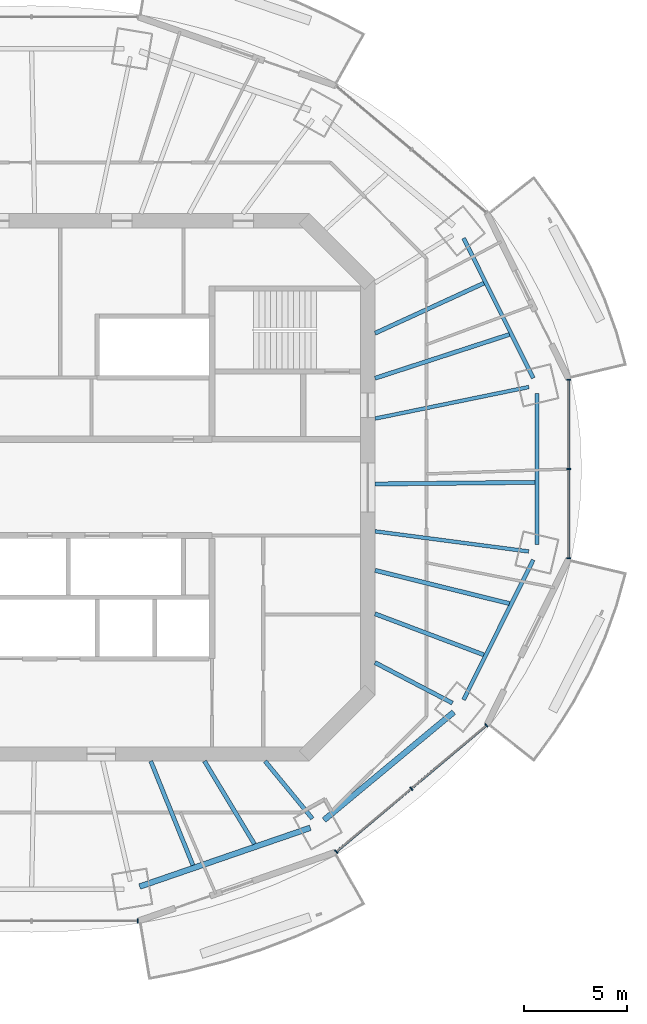
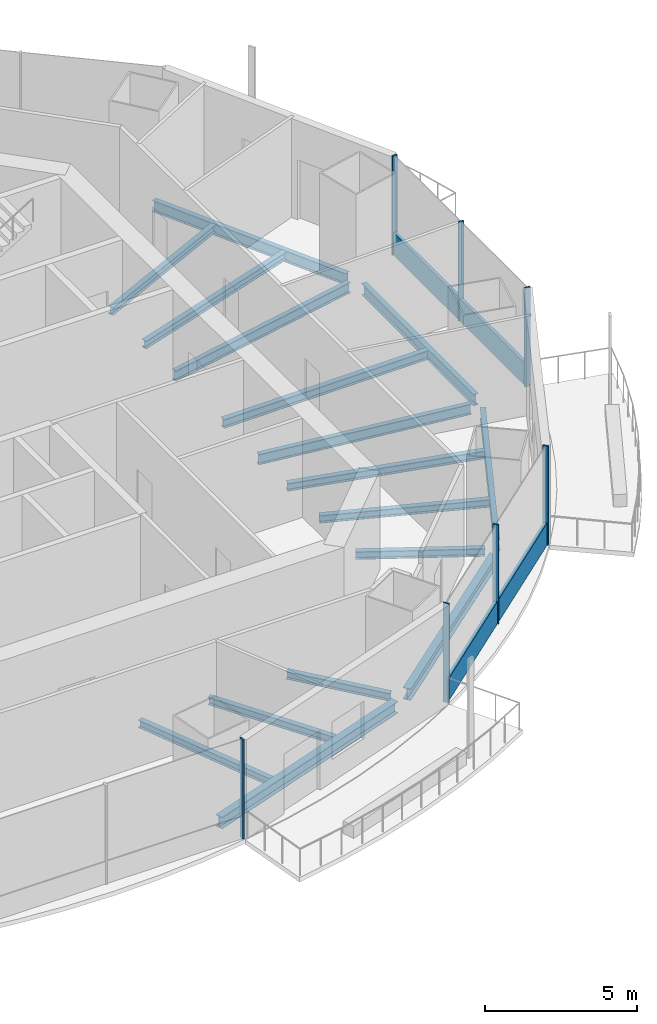
# One storey, part 4 of 16: 16 beams, 9 members, 3 elements without a shape of their own.
"""IFC4 building model written with IfcOpenShell, lengths in metres."""

from ifc_helpers import new_model, si_unit, direction, frame, origin, origin_2d, place, context, subcontext, project, spatial, rectangle, i_section, extrude, material, material_profile, profile_set, type_object, element, aggregate, save


model = new_model("IFC4")

# Units and contexts
model_context = context("Model", 3, precision=1e-05, world=origin(), true_north=direction((0.0, 1.0)))
body_context = subcontext(model_context, "Body", "Model", "MODEL_VIEW")
ifc_project = project(units=[si_unit("LENGTHUNIT", "METRE"), si_unit("AREAUNIT", "SQUARE_METRE"), si_unit("VOLUMEUNIT", "CUBIC_METRE"), si_unit("PLANEANGLEUNIT", "RADIAN"), si_unit("MASSUNIT", "GRAM", prefix="KILO")], contexts=[model_context])

# Site, building, storey
site_placement = place(None, origin())
site = spatial("IfcSite", under=ifc_project, at=site_placement, CompositionType="ELEMENT")
building_placement = place(site_placement, origin())
building = spatial("IfcBuilding", under=site, at=building_placement, Name="Marenthal Gate Tower", CompositionType="ELEMENT")
storey_placement = place(building_placement, frame((0.0, 0.0, 346.75)))
storey = spatial("IfcBuildingStorey", under=building, at=storey_placement, Name="L78", CompositionType="ELEMENT", Elevation=346.75)

# Curtain wall, member
ifc_material_1 = material(Name="Aluminium and glass", Category="aluminium")
curtain_wall_type = type_object("IfcCurtainWallType", Name="Curtain wall typical high", PredefinedType="NOTDEFINED", material=ifc_material_1)
curtain_wall_1_placement = place(storey_placement, origin())
curtain_wall_1 = element("IfcCurtainWall", 1, at=curtain_wall_1_placement, inside=storey, type_object=curtain_wall_type, Name="Curtain wall L78 bay 12", PredefinedType="NOTDEFINED")
ifc_material_2 = material(Name="Aluminium", Category="aluminium")
ifc_material_profile_1 = material_profile(ifc_material_2, rectangle(XDim=0.199951171875, YDim=0.06005859375, at=origin_2d()), Name="60x200 aluminium mullion")
ifc_profile_set_1 = profile_set([ifc_material_profile_1], Name="Aluminium")
member_type_1 = type_object("IfcMemberType", Name="Mullion 60x200 typical high", PredefinedType="MULLION", material=ifc_profile_set_1)
member_1_placement = place(storey_placement, frame((4.7802734375, -21.14404296875, 0.0), z_axis=(0.0, 0.0, 1.0), x_axis=(0.0, 1.0, 0.0)))
member_1 = element("IfcMember", 2, at=member_1_placement, type_object=member_type_1, Name="Mullion L78 bay 12.3", PredefinedType="MULLION", context=body_context, shape_type="SweptSolid", body=[
    extrude(rectangle(XDim=0.199951171875, YDim=0.06005859375, at=origin_2d()), origin(), (0.0, 0.0, 1.0), 3.969970703125),
])
aggregate(curtain_wall_1, [member_1])

# Curtain wall, members
curtain_wall_2_placement = place(storey_placement, origin())
curtain_wall_2 = element("IfcCurtainWall", 3, at=curtain_wall_2_placement, inside=storey, type_object=curtain_wall_type, Name="Curtain wall L78 bay 14", PredefinedType="NOTDEFINED")
member_2_placement = place(storey_placement, frame((14.46044921875, -17.768798828125, 0.0), z_axis=(0.0, 0.0, 1.0), x_axis=(-0.643895579249, 0.765113379195, 0.0)))
member_2 = element("IfcMember", 4, at=member_2_placement, type_object=member_type_1, Name="Mullion L78 bay 14.1", PredefinedType="MULLION", context=body_context, shape_type="SweptSolid", body=[
    extrude(rectangle(XDim=0.199951171875, YDim=0.06005859375, at=origin_2d()), origin(), (0.0, 0.0, 1.0), 3.969970703125),
])
member_3_placement = place(storey_placement, frame((18.121826171875, -14.6875, 0.0), z_axis=(0.0, 0.0, 1.0), x_axis=(-0.643895579249, 0.765113379195, 0.0)))
member_3 = element("IfcMember", 5, at=member_3_placement, type_object=member_type_1, Name="Mullion L78 bay 14.2", PredefinedType="MULLION", context=body_context, shape_type="SweptSolid", body=[
    extrude(rectangle(XDim=0.199951171875, YDim=0.06005859375, at=origin_2d()), origin(), (0.0, 0.0, 1.0), 3.969970703125),
])
member_4_placement = place(storey_placement, frame((21.783203125, -11.606201171875, 0.0), z_axis=(0.0, 0.0, 1.0), x_axis=(-0.643895579249, 0.765113379195, 0.0)))
member_4 = element("IfcMember", 6, at=member_4_placement, type_object=member_type_1, Name="Mullion L78 bay 14.3", PredefinedType="MULLION", context=body_context, shape_type="SweptSolid", body=[
    extrude(rectangle(XDim=0.199951171875, YDim=0.06005859375, at=origin_2d()), origin(), (0.0, 0.0, 1.0), 3.969970703125),
])

curtain_wall_3_placement = place(storey_placement, origin())
curtain_wall_3 = element("IfcCurtainWall", 7, at=curtain_wall_3_placement, inside=storey, type_object=curtain_wall_type, Name="Curtain wall L78 bay 16", PredefinedType="NOTDEFINED")
member_5_placement = place(storey_placement, frame((25.793701171875, -3.454833984375, 0.0), z_axis=(0.0, 0.0, 1.0), x_axis=(-1.0, 0.0, 0.0)))
member_5 = element("IfcMember", 8, at=member_5_placement, type_object=member_type_1, Name="Mullion L78 bay 16.1", PredefinedType="MULLION", context=body_context, shape_type="SweptSolid", body=[
    extrude(rectangle(XDim=0.199951171875, YDim=0.06005859375, at=origin_2d()), origin(), (0.0, 0.0, 1.0), 3.969970703125),
])
member_6_placement = place(storey_placement, frame((25.793701171875, 0.89990234375, 0.0), z_axis=(0.0, 0.0, 1.0), x_axis=(-1.0, 0.0, 0.0)))
member_6 = element("IfcMember", 9, at=member_6_placement, type_object=member_type_1, Name="Mullion L78 bay 16.2", PredefinedType="MULLION", context=body_context, shape_type="SweptSolid", body=[
    extrude(rectangle(XDim=0.199951171875, YDim=0.06005859375, at=origin_2d()), origin(), (0.0, 0.0, 1.0), 3.969970703125),
])
member_7_placement = place(storey_placement, frame((25.793701171875, 5.2548828125, 0.0), z_axis=(0.0, 0.0, 1.0), x_axis=(-1.0, 0.0, 0.0)))
member_7 = element("IfcMember", 10, at=member_7_placement, type_object=member_type_1, Name="Mullion L78 bay 16.3", PredefinedType="MULLION", context=body_context, shape_type="SweptSolid", body=[
    extrude(rectangle(XDim=0.199951171875, YDim=0.06005859375, at=origin_2d()), origin(), (0.0, 0.0, 1.0), 3.969970703125),
])

# Member
ifc_material_3 = material(Name="Aluminium", Category="aluminium")
ifc_material_profile_2 = material_profile(ifc_material_3, rectangle(XDim=0.1201171875, YDim=0.89990234375, at=origin_2d()), Name="120x900 aluminium transom")
ifc_profile_set_2 = profile_set([ifc_material_profile_2], Name="Aluminium")
member_type_2 = type_object("IfcMemberType", Name="Transom 120x900 typical high", PredefinedType="USERDEFINED", material=ifc_profile_set_2)
member_8_placement = place(storey_placement, frame((14.4833984375, -17.74951171875, 0.449951171875), z_axis=(0.765123507082, 0.643883544526, 0.0), x_axis=(-0.643883544526, 0.765123507082, 0.0)))
member_8 = element("IfcMember", 11, at=member_8_placement, type_object=member_type_2, Name="Transom L78 bay 14", ObjectType="TRANSOM", PredefinedType="USERDEFINED", context=body_context, shape_type="SweptSolid", body=[
    extrude(rectangle(XDim=0.1201171875, YDim=0.89990234375, at=origin_2d()), origin(), (0.0, 0.0, 1.0), 9.5107421875),
])

aggregate(curtain_wall_2, [member_2, member_3, member_4, member_8])

member_9_placement = place(storey_placement, frame((25.793701171875, -3.4248046875, 0.449951171875), z_axis=(0.0, 1.0, 0.0), x_axis=(-1.0, 0.0, 0.0)))
member_9 = element("IfcMember", 12, at=member_9_placement, type_object=member_type_2, Name="Transom L78 bay 16", ObjectType="TRANSOM", PredefinedType="USERDEFINED", context=body_context, shape_type="SweptSolid", body=[
    extrude(rectangle(XDim=0.1201171875, YDim=0.89990234375, at=origin_2d()), origin(), (0.0, 0.0, 1.0), 8.649658203125),
])

aggregate(curtain_wall_3, [member_5, member_6, member_7, member_9])

# Beams
ifc_material_4 = material(Name="Steel S355", Category="steel")
ifc_material_profile_3 = material_profile(ifc_material_4, i_section(OverallWidth=0.202880859375, OverallDepth=0.302001953125, WebThickness=0.007568359375, FlangeThickness=0.01318359375, FilletRadius=0.0126953125, at=origin_2d()), Name="W310X60")
ifc_profile_set_3 = profile_set([ifc_material_profile_3], Name="Steel S355")
beam_type_1 = type_object("IfcBeamType", Name="W310X60 beam", PredefinedType="BEAM", material=ifc_profile_set_3)
beam_1_placement = place(storey_placement, frame((21.656005859375, 9.95849609375, -0.3310546875), z_axis=(-0.908525049261, -0.417830390069, 0.0), x_axis=(0.417830390069, -0.908525049261, 0.0)))
element("IfcBeam", 13, at=beam_1_placement, inside=storey, type_object=beam_type_1, Name="BM-L78-18", PredefinedType="BEAM", context=body_context, shape_type="SweptSolid", body=[
    extrude(i_section(OverallWidth=0.202880859375, OverallDepth=0.302001953125, WebThickness=0.007568359375, FlangeThickness=0.01318359375, FilletRadius=0.0126953125, at=origin_2d()), origin(), (0.0, 0.0, 1.0), 5.840087890625),
])
beam_2_placement = place(storey_placement, frame((7.46875, -18.425048828125, -0.3310546875), z_axis=(-0.37566060871, 0.926757307532, 0.0), x_axis=(-0.926757307532, -0.37566060871, 0.0)))
element("IfcBeam", 14, at=beam_2_placement, inside=storey, type_object=beam_type_1, Name="BM-L78-35", PredefinedType="BEAM", context=body_context, shape_type="SweptSolid", body=[
    extrude(i_section(OverallWidth=0.202880859375, OverallDepth=0.302001953125, WebThickness=0.007568359375, FlangeThickness=0.01318359375, FilletRadius=0.0126953125, at=origin_2d()), origin(), (0.0, 0.0, 1.0), 5.47607421875),
])
beam_3_placement = place(storey_placement, frame((10.467041015625, -17.39208984375, -0.3310546875), z_axis=(-0.515690075221, 0.856775201741, 0.0), x_axis=(-0.856775201741, -0.515690075221, 0.0)))
element("IfcBeam", 15, at=beam_3_placement, inside=storey, type_object=beam_type_1, Name="BM-L78-36", PredefinedType="BEAM", context=body_context, shape_type="SweptSolid", body=[
    extrude(i_section(OverallWidth=0.202880859375, OverallDepth=0.302001953125, WebThickness=0.007568359375, FlangeThickness=0.01318359375, FilletRadius=0.0126953125, at=origin_2d()), origin(), (0.0, 0.0, 1.0), 4.7177734375),
])
beam_4_placement = place(storey_placement, frame((21.653076171875, -8.16455078125, -0.3310546875), z_axis=(-0.935681433013, 0.352845937931, 0.0), x_axis=(-0.352845937931, -0.935681433013, 0.0)))
element("IfcBeam", 16, at=beam_4_placement, inside=storey, type_object=beam_type_1, Name="BM-L78-37", PredefinedType="BEAM", context=body_context, shape_type="SweptSolid", body=[
    extrude(i_section(OverallWidth=0.202880859375, OverallDepth=0.302001953125, WebThickness=0.007568359375, FlangeThickness=0.01318359375, FilletRadius=0.0126953125, at=origin_2d()), origin(), (0.0, 0.0, 1.0), 5.66748046875),
])
ifc_material_5 = material(Name="Steel S355", Category="steel")
ifc_material_profile_4 = material_profile(ifc_material_5, i_section(OverallWidth=0.205078125, OverallDepth=0.31005859375, WebThickness=0.009521484375, FlangeThickness=0.016357421875, FilletRadius=0.0126953125, at=origin_2d()), Name="W310X74")
ifc_profile_set_4 = profile_set([ifc_material_profile_4], Name="Steel S355")
beam_type_2 = type_object("IfcBeamType", Name="W310X74 beam", PredefinedType="BEAM", material=ifc_profile_set_4)
beam_5_placement = place(storey_placement, frame((13.2958984375, -16.154052734375, -0.3349609375), z_axis=(-0.635457429148, 0.772135904968, 0.0), x_axis=(-0.772135904968, -0.635457429148, 0.0)))
element("IfcBeam", 17, at=beam_5_placement, inside=storey, type_object=beam_type_2, Name="BM-L78-14", PredefinedType="BEAM", context=body_context, shape_type="SweptSolid", body=[
    extrude(i_section(OverallWidth=0.205078125, OverallDepth=0.31005859375, WebThickness=0.009521484375, FlangeThickness=0.016357421875, FilletRadius=0.0126953125, at=origin_2d()), origin(), (0.0, 0.0, 1.0), 3.63134765625),
])
beam_6_placement = place(storey_placement, frame((20.122314453125, -10.515869140625, -0.3349609375), z_axis=(-0.886264510552, 0.463179465582, 0.0), x_axis=(-0.463179465582, -0.886264510552, 0.0)))
element("IfcBeam", 18, at=beam_6_placement, inside=storey, type_object=beam_type_2, Name="BM-L78-15", PredefinedType="BEAM", context=body_context, shape_type="SweptSolid", body=[
    extrude(i_section(OverallWidth=0.205078125, OverallDepth=0.31005859375, WebThickness=0.009521484375, FlangeThickness=0.016357421875, FilletRadius=0.0126953125, at=origin_2d()), origin(), (0.0, 0.0, 1.0), 4.25634765625),
])
beam_7_placement = place(storey_placement, frame((22.90185546875, 7.45751953125, -0.3349609375), z_axis=(-0.950864154152, -0.309608398382, 0.0), x_axis=(0.309608398382, -0.950864154152, 0.0)))
element("IfcBeam", 19, at=beam_7_placement, inside=storey, type_object=beam_type_2, Name="BM-L78-17", PredefinedType="BEAM", context=body_context, shape_type="SweptSolid", body=[
    extrude(i_section(OverallWidth=0.205078125, OverallDepth=0.31005859375, WebThickness=0.009521484375, FlangeThickness=0.016357421875, FilletRadius=0.0126953125, at=origin_2d()), origin(), (0.0, 0.0, 1.0), 6.890380859375),
])
beam_8_placement = place(storey_placement, frame((22.898681640625, -5.6640625, -0.3349609375), z_axis=(-0.970741975018, 0.240125004818, 0.0), x_axis=(-0.240125004818, -0.970741975018, 0.0)))
element("IfcBeam", 20, at=beam_8_placement, inside=storey, type_object=beam_type_2, Name="BM-L78-38", PredefinedType="BEAM", context=body_context, shape_type="SweptSolid", body=[
    extrude(i_section(OverallWidth=0.205078125, OverallDepth=0.31005859375, WebThickness=0.009521484375, FlangeThickness=0.016357421875, FilletRadius=0.0126953125, at=origin_2d()), origin(), (0.0, 0.0, 1.0), 6.745849609375),
])
ifc_material_6 = material(Name="Steel S355", Category="steel")
ifc_material_profile_5 = material_profile(ifc_material_6, i_section(OverallWidth=0.205078125, OverallDepth=0.35302734375, WebThickness=0.009521484375, FlangeThickness=0.016845703125, FilletRadius=0.014892578125, at=origin_2d()), Name="W360X79")
ifc_profile_set_5 = profile_set([ifc_material_profile_5], Name="Steel S355")
beam_type_3 = type_object("IfcBeamType", Name="W360X79 beam", PredefinedType="BEAM", material=ifc_profile_set_5)
beam_9_placement = place(storey_placement, frame((24.148681640625, 0.246826171875, -0.3564453125), z_axis=(-0.999947606191, -0.010236448274, 0.0), x_axis=(0.010236448274, -0.999947606191, 0.0)))
element("IfcBeam", 21, at=beam_9_placement, inside=storey, type_object=beam_type_3, Name="BM-L78-39", PredefinedType="BEAM", context=body_context, shape_type="SweptSolid", body=[
    extrude(i_section(OverallWidth=0.205078125, OverallDepth=0.35302734375, WebThickness=0.009521484375, FlangeThickness=0.016845703125, FilletRadius=0.014892578125, at=origin_2d()), origin(), (0.0, 0.0, 1.0), 7.799072265625),
])
ifc_material_7 = material(Name="Steel S355", Category="steel")
ifc_material_profile_6 = material_profile(ifc_material_7, i_section(OverallWidth=0.180908203125, OverallDepth=0.4169921875, WebThickness=0.010986328125, FlangeThickness=0.018310546875, FilletRadius=0.01025390625, at=origin_2d()), Name="W410X85")
ifc_profile_set_6 = profile_set([ifc_material_profile_6], Name="Steel S355")
beam_type_4 = type_object("IfcBeamType", Name="W410X85 beam", PredefinedType="BEAM", material=ifc_profile_set_6)
beam_10_placement = place(storey_placement, frame((23.851806640625, 4.89599609375, -0.388427734375), z_axis=(-0.979577430245, -0.201067297574, 0.0), x_axis=(0.201067297574, -0.979577430245, 0.0)))
element("IfcBeam", 22, at=beam_10_placement, inside=storey, type_object=beam_type_4, Name="BM-L78-01", PredefinedType="BEAM", context=body_context, shape_type="SweptSolid", body=[
    extrude(i_section(OverallWidth=0.180908203125, OverallDepth=0.4169921875, WebThickness=0.010986328125, FlangeThickness=0.018310546875, FilletRadius=0.01025390625, at=origin_2d()), origin(), (0.0, 0.0, 1.0), 7.658203125),
])
beam_11_placement = place(storey_placement, frame((23.8427734375, -3.1240234375, -0.388427734375), z_axis=(-0.99152584313, 0.129909593197, 0.0), x_axis=(-0.129909593197, -0.99152584313, 0.0)))
element("IfcBeam", 23, at=beam_11_placement, inside=storey, type_object=beam_type_4, Name="BM-L78-16", PredefinedType="BEAM", context=body_context, shape_type="SweptSolid", body=[
    extrude(i_section(OverallWidth=0.180908203125, OverallDepth=0.4169921875, WebThickness=0.010986328125, FlangeThickness=0.018310546875, FilletRadius=0.01025390625, at=origin_2d()), origin(), (0.0, 0.0, 1.0), 7.556640625),
])
ifc_material_8 = material(Name="Steel S355", Category="steel")
ifc_material_profile_7 = material_profile(ifc_material_8, i_section(OverallWidth=0.279052734375, OverallDepth=0.4619140625, WebThickness=0.0107421875, FlangeThickness=0.017333984375, FilletRadius=0.010009765625, at=origin_2d()), Name="W460X113")
ifc_profile_set_7 = profile_set([ifc_material_profile_7], Name="Steel S355")
beam_type_5 = type_object("IfcBeamType", Name="W460X113 beam", PredefinedType="BEAM", material=ifc_profile_set_7)
beam_12_placement = place(storey_placement, frame((4.868408203125, -19.46826171875, -0.410888671875), z_axis=(0.945483143703, 0.325671037972, 0.0), x_axis=(-0.325671037972, 0.945483143703, 0.0)))
element("IfcBeam", 24, at=beam_12_placement, inside=storey, type_object=beam_type_5, Name="BM-L78-52", PredefinedType="BEAM", context=body_context, shape_type="SweptSolid", body=[
    extrude(i_section(OverallWidth=0.279052734375, OverallDepth=0.4619140625, WebThickness=0.0107421875, FlangeThickness=0.017333984375, FilletRadius=0.010009765625, at=origin_2d()), origin(), (0.0, 0.0, 1.0), 8.803955078125),
])
beam_13_placement = place(storey_placement, frame((13.860107421875, -16.224609375, -0.410888671875), z_axis=(0.768872300496, 0.639402365909, 0.0), x_axis=(-0.639402365909, 0.768872300496, 0.0)))
element("IfcBeam", 25, at=beam_13_placement, inside=storey, type_object=beam_type_5, Name="BM-L78-53", PredefinedType="BEAM", context=body_context, shape_type="SweptSolid", body=[
    extrude(i_section(OverallWidth=0.279052734375, OverallDepth=0.4619140625, WebThickness=0.0107421875, FlangeThickness=0.017333984375, FilletRadius=0.010009765625, at=origin_2d()), origin(), (0.0, 0.0, 1.0), 8.23291015625),
])
ifc_material_9 = material(Name="Steel S355", Category="steel")
ifc_material_profile_8 = material_profile(ifc_material_9, i_section(OverallWidth=0.19091796875, OverallDepth=0.45703125, WebThickness=0.009033203125, FlangeThickness=0.014404296875, FilletRadius=0.01025390625, at=origin_2d()), Name="W460X74")
ifc_profile_set_8 = profile_set([ifc_material_profile_8], Name="Steel S355")
beam_type_6 = type_object("IfcBeamType", Name="W460X74 beam", PredefinedType="BEAM", material=ifc_profile_set_8)
for number, where, z_axis, x_axis, name in (
    (26, (24.066650390625, 5.3330078125, -0.408447265625), (-0.445842036963, 0.895111656765, 0.0), (-0.895111656765, -0.445842036963, 0.0), "BM-L78-40"),
    (27, (20.668701171875, -10.35498046875, -0.408447265625), (0.445842036963, 0.895111656765, 0.0), (-0.895111656765, 0.445842036963, 0.0), "BM-L78-54"),
):
    element("IfcBeam", number, at=place(storey_placement, frame(where, z_axis=z_axis, x_axis=x_axis)), inside=storey, type_object=beam_type_6, Name=name, PredefinedType="BEAM", context=body_context, shape_type="SweptSolid", body=[
        extrude(i_section(OverallWidth=0.19091796875, OverallDepth=0.45703125, WebThickness=0.009033203125, FlangeThickness=0.014404296875, FilletRadius=0.01025390625, at=origin_2d()), origin(), (0.0, 0.0, 1.0), 7.621337890625),
    ])
beam_14_placement = place(storey_placement, frame((24.244140625, -2.77685546875, -0.408447265625), z_axis=(0.0, 1.0, 0.0), x_axis=(-1.0, 0.0, 0.0)))
element("IfcBeam", 28, at=beam_14_placement, inside=storey, type_object=beam_type_6, Name="BM-L78-55", PredefinedType="BEAM", context=body_context, shape_type="SweptSolid", body=[
    extrude(i_section(OverallWidth=0.19091796875, OverallDepth=0.45703125, WebThickness=0.009033203125, FlangeThickness=0.014404296875, FilletRadius=0.01025390625, at=origin_2d()), origin(), (0.0, 0.0, 1.0), 7.353759765625),
])

save(model, "model.ifc")
